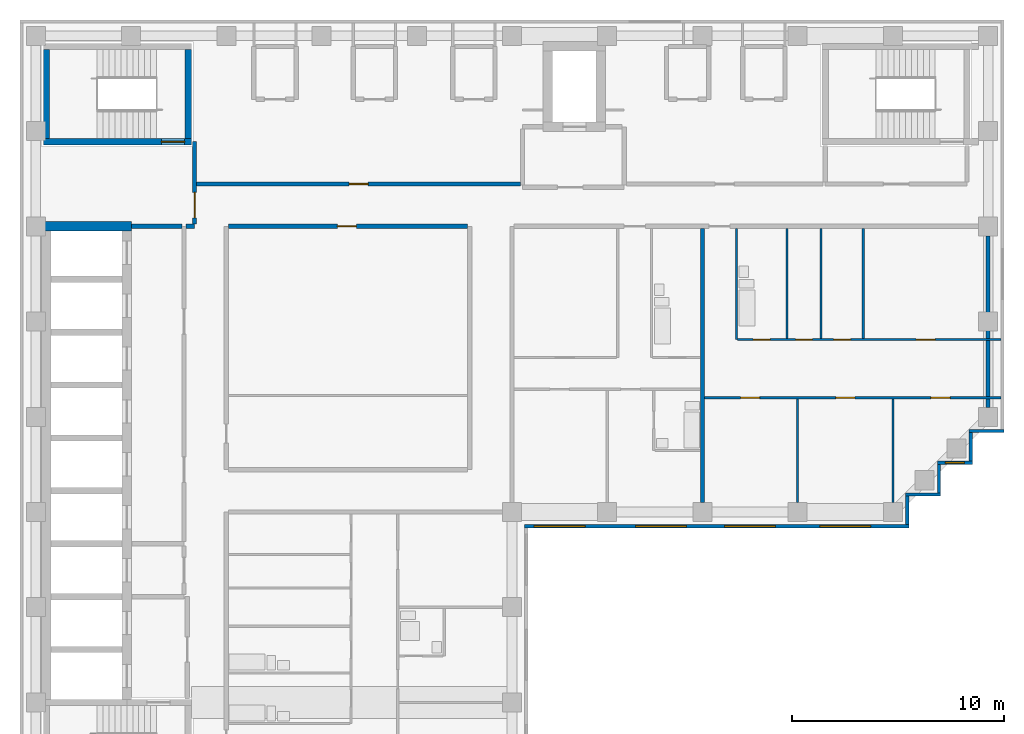
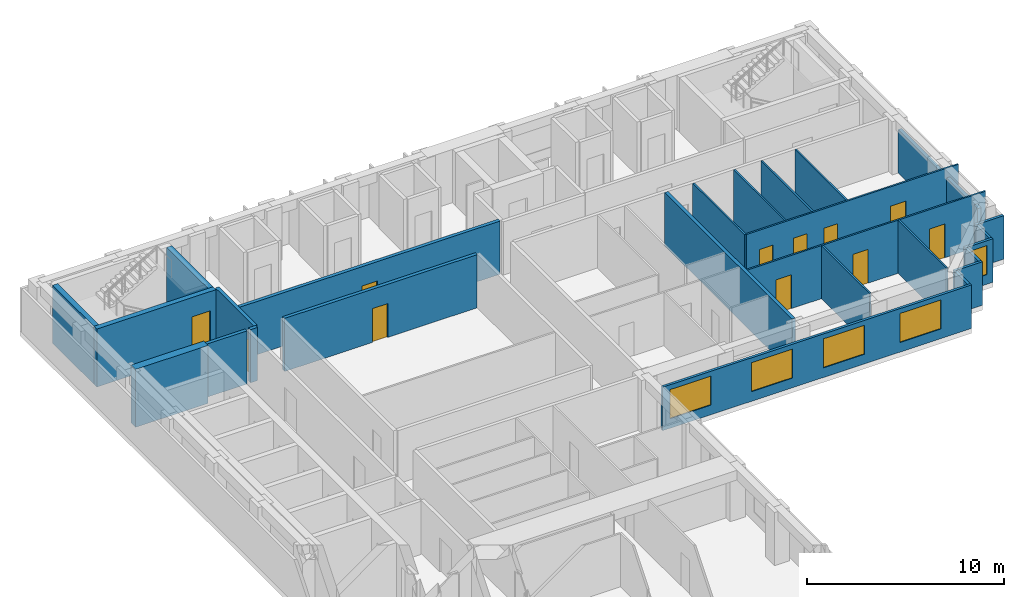
# One storey, part 4 of 8: 26 walls, 11 doors, 5 windows, 16 openings.
"""IFC4 building model written with IfcOpenShell, lengths in metres."""

import ifcopenshell
import ifcopenshell.guid

model = None  # the IFC model being written
_history = None  # IfcOwnerHistory: only IFC2X3 demands one
_inside = {}  # id of a spatial element -> (the spatial element, [elements in it])
_under = {}  # id of a project, library or spatial element -> (it, [spatial elements below it])
_declared = {}  # id of a project -> (the project, [libraries it declares])
_typed = {}  # id of a type object -> (the type object, [elements of that type])
_made_of = {}  # id of a material, layer set ... -> (it, [elements and type objects made of it])


def new_model(schema):
    """Start an empty IFC model of exactly this schema.

    Asked for "IFC4X3", IfcOpenShell would pick the latest addendum, in which some entities
    have other attributes; the version numbers below select the first issue.
    IFC2X3 requires an IfcOwnerHistory on every rooted entity: one is made here for all.
    """
    global model, _history
    if schema == "IFC4X3":
        model = ifcopenshell.file(schema_version=(4, 3, 0, 0))
    else:
        model = ifcopenshell.file(schema=schema)
    _inside.clear()
    _under.clear()
    _declared.clear()
    _typed.clear()
    _made_of.clear()
    _history = None
    if model.schema == "IFC2X3":
        org = make("IfcOrganization", Name="unknown")
        user = make(
            "IfcPersonAndOrganization",
            ThePerson=make("IfcPerson", FamilyName="unknown"),
            TheOrganization=org,
        )
        app = make(
            "IfcApplication",
            ApplicationDeveloper=org,
            Version="unknown",
            ApplicationFullName="unknown",
            ApplicationIdentifier="unknown",
        )
        _history = make(
            "IfcOwnerHistory",
            OwningUser=user,
            OwningApplication=app,
            ChangeAction="ADDED",
            CreationDate=0,
        )
    return model


def make(cls, **values):
    """One entity of the class cls with the attributes given. An attribute that is None is left unset."""
    return model.create_entity(
        cls, **{name: value for name, value in values.items() if value is not None}
    )


def rooted(cls, **values):
    """An entity with a GlobalId (a new one), such as an element, a storey or a relation."""
    return make(cls, GlobalId=ifcopenshell.guid.new(), OwnerHistory=_history, **values)


def si_unit(unit_type, name, prefix=None):
    """IfcSIUnit, for example si_unit("LENGTHUNIT", "METRE", prefix="MILLI")."""
    return make("IfcSIUnit", UnitType=unit_type, Prefix=prefix, Name=name)


def assignment(units):
    """IfcUnitAssignment: the units of a project."""
    return None if units is None else make("IfcUnitAssignment", Units=units)


def point(xyz):
    """IfcCartesianPoint."""
    return None if xyz is None else make("IfcCartesianPoint", Coordinates=xyz)


def direction(xyz):
    """IfcDirection."""
    return None if xyz is None else make("IfcDirection", DirectionRatios=xyz)


def frame(location, z_axis=None, x_axis=None):
    """IfcAxis2Placement3D, a coordinate frame: its origin and axes. An axis left out is left unset."""
    return make(
        "IfcAxis2Placement3D",
        Location=point(location),
        Axis=direction(z_axis),
        RefDirection=direction(x_axis),
    )


def frame_2d(location, x_axis=None):
    """IfcAxis2Placement2D, a coordinate frame in the plane: its origin and x axis."""
    return make(
        "IfcAxis2Placement2D", Location=point(location), RefDirection=direction(x_axis)
    )


def origin():
    """The frame at (0, 0, 0) with its axes left unset."""
    return frame((0.0, 0.0, 0.0))


def place(relative_to, where):
    """IfcLocalPlacement: puts the frame where relative to a parent placement (None: the world)."""
    return make(
        "IfcLocalPlacement", PlacementRelTo=relative_to, RelativePlacement=where
    )


def context(
    kind, dimensions, precision=None, world=None, true_north=None, identifier=None
):
    """IfcGeometricRepresentationContext, for example the 3D "Model" context."""
    return make(
        "IfcGeometricRepresentationContext",
        ContextIdentifier=identifier,
        ContextType=kind,
        CoordinateSpaceDimension=dimensions,
        Precision=precision,
        WorldCoordinateSystem=world,
        TrueNorth=true_north,
    )


def subcontext(parent, identifier, kind, view, scale=None):
    """IfcGeometricRepresentationSubContext, for example "Body" below "Model"."""
    return make(
        "IfcGeometricRepresentationSubContext",
        ContextIdentifier=identifier,
        ContextType=kind,
        ParentContext=parent,
        TargetScale=scale,
        TargetView=view,
    )


def project(units=None, contexts=None):
    """IfcProject with its units and contexts."""
    return rooted(
        "IfcProject",
        Name="project",
        RepresentationContexts=contexts,
        UnitsInContext=assignment(units),
    )


def spatial(cls, under=None, at=None, **own):
    """A site, building, storey or space (cls), placed at a placement, below another one or the project."""
    s = rooted(cls, ObjectPlacement=at, **own)
    if under is not None:
        _under.setdefault(under.id(), (under, []))[1].append(s)
    return s


def profile(cls, at=None, kind="AREA", **sizes):
    """A parametric profile (cls). Its sizes go by their IFC names, for example OverallWidth=200.0."""
    return make(cls, ProfileType=kind, Position=at, **sizes)


def rectangle(**sizes):
    """IfcRectangleProfileDef."""
    return profile("IfcRectangleProfileDef", **sizes)


def extrude(swept, where, along, depth):
    """IfcExtrudedAreaSolid: the profile swept, set in the frame where, extruded along a direction by depth."""
    return make(
        "IfcExtrudedAreaSolid",
        SweptArea=swept,
        Position=where,
        ExtrudedDirection=direction(along),
        Depth=depth,
    )


def shape(context_of_items, identifier, shape_type, items):
    """IfcShapeRepresentation: the items that make up one representation, for example the "Body"."""
    return make(
        "IfcShapeRepresentation",
        ContextOfItems=context_of_items,
        RepresentationIdentifier=identifier,
        RepresentationType=shape_type,
        Items=items,
    )


def material(Name=None, Category=None):
    """IfcMaterial."""
    return make("IfcMaterial", Name=Name, Category=Category)


def layer(
    of_material, thickness, ventilated=None, Name=None, Category=None, Priority=None
):
    """IfcMaterialLayer: one layer of a wall or slab, of a material (None: an air gap)."""
    return make(
        "IfcMaterialLayer",
        Material=of_material,
        LayerThickness=thickness,
        IsVentilated=ventilated,
        Name=Name,
        Category=Category,
        Priority=Priority,
    )


def layer_set(layers, Name=None):
    """IfcMaterialLayerSet."""
    return make("IfcMaterialLayerSet", MaterialLayers=layers, LayerSetName=Name)


def made_of(thing, what):
    """Note that an element or type object is made of a material, layer set ...; save() writes the relation."""
    if what is not None:
        _made_of.setdefault(what.id(), (what, []))[1].append(thing)
    return thing


def type_object(cls, material=None, **own):
    """A type object (cls), such as IfcWallType, which elements share."""
    return made_of(rooted(cls, **own), material)


def element(
    cls,
    number,
    at=None,
    inside=None,
    cuts=None,
    type_object=None,
    material=None,
    context=None,
    identifier="Body",
    shape_type=None,
    held_by="IfcProductDefinitionShape",
    body=None,
    shapes=None,
    **own,
):
    """One element of the class cls, such as IfcWall. Its Tag is "e" and its number.

    at: its placement. inside: the storey or other place that contains it. cuts: it is an
    opening in that element (IfcRelVoidsElement). A single representation is given by context,
    identifier, shape_type and body (its items); several are given by shapes. held_by: the class
    of the entity that holds the representations. save() writes the other relations.
    """
    e = rooted(cls, Tag="e%d" % number, ObjectPlacement=at, **own)
    if body is not None:
        shapes = [shape(context, identifier, shape_type, body)]
    if shapes is not None:
        e.Representation = make(held_by, Representations=shapes)
    if inside is not None:
        _inside.setdefault(inside.id(), (inside, []))[1].append(e)
    if cuts is not None:
        rooted(
            "IfcRelVoidsElement", RelatingBuildingElement=cuts, RelatedOpeningElement=e
        )
    if type_object is not None:
        _typed.setdefault(type_object.id(), (type_object, []))[1].append(e)
    return made_of(e, material)


def fill(opening, filler):
    """IfcRelFillsElement: the door or window that sits in an opening."""
    return rooted(
        "IfcRelFillsElement",
        RelatingOpeningElement=opening,
        RelatedBuildingElement=filler,
    )


def aggregate(whole, parts):
    """IfcRelAggregates: a whole, such as a stair, and the parts it consists of."""
    return rooted("IfcRelAggregates", RelatingObject=whole, RelatedObjects=parts)


def save(model, path):
    """Write the relations noted so far, then the file.

    IfcRelAggregates (storeys below a building ...), IfcRelContainedInSpatialStructure (elements
    in a storey), IfcRelDefinesByType, IfcRelAssociatesMaterial and IfcRelDeclares: one each for
    every whole, place, type object, material and project.
    """
    for whole, parts in _under.values():
        aggregate(whole, parts)
    for where, things in _inside.values():
        rooted(
            "IfcRelContainedInSpatialStructure",
            RelatedElements=things,
            RelatingStructure=where,
        )
    for kind, things in _typed.values():
        rooted("IfcRelDefinesByType", RelatedObjects=things, RelatingType=kind)
    for what, things in _made_of.values():
        rooted("IfcRelAssociatesMaterial", RelatedObjects=things, RelatingMaterial=what)
    for by, libraries in _declared.values():
        rooted("IfcRelDeclares", RelatingContext=by, RelatedDefinitions=libraries)
    model.write(path)


model = new_model("IFC4")

# Units and contexts
model_context = context("Model", 3, precision=1e-05, world=origin(), true_north=direction((0.0, 1.0)))
body_context = subcontext(model_context, "Body", "Model", "MODEL_VIEW")
ifc_project = project(units=[si_unit("LENGTHUNIT", "METRE"), si_unit("AREAUNIT", "SQUARE_METRE"), si_unit("VOLUMEUNIT", "CUBIC_METRE"), si_unit("PLANEANGLEUNIT", "RADIAN"), si_unit("MASSUNIT", "GRAM", prefix="KILO")], contexts=[model_context])

# Site, building, storey
site_placement = place(None, origin())
site = spatial("IfcSite", under=ifc_project, at=site_placement, CompositionType="ELEMENT")
building_placement = place(site_placement, origin())
building = spatial("IfcBuilding", under=site, at=building_placement, Name="Firuza Court", CompositionType="ELEMENT")
storey_placement = place(building_placement, frame((0.0, 0.0, 236.60009765625)))
storey = spatial("IfcBuildingStorey", under=building, at=storey_placement, Name="L61", CompositionType="ELEMENT", Elevation=236.60009765625)

# Walls
ifc_material_1 = material(Name="Moisture-resistant gypsum board partition")
ifc_layer_1 = layer(ifc_material_1, 0.10009765625)
ifc_layer_set_1 = layer_set([ifc_layer_1], Name="Moisture-resistant gypsum board partition")
wall_type_1 = type_object("IfcWallType", Name="Bathroom partition 100", PredefinedType="PLUMBINGWALL", material=ifc_layer_set_1)
wall_1_placement = place(storey_placement, frame((33.10009765625, 44.14990234375, 0.0), z_axis=(0.0, 0.0, 1.0), x_axis=(0.0, 1.0, 0.0)))
element("IfcWall", 1, at=wall_1_placement, inside=storey, type_object=wall_type_1, Name="Bathroom partition 100 L61", PredefinedType="PLUMBINGWALL", context=body_context, shape_type="SweptSolid", body=[
    extrude(rectangle(XDim=5.25, YDim=0.10009765625, at=frame_2d((2.625, 0.0))), origin(), (0.0, 0.0, 1.0), 3.2998046875),
])
wall_2_placement = place(storey_placement, frame((35.5, 44.199951171875, 0.0), z_axis=(0.0, 0.0, 1.0), x_axis=(0.0, 1.0, 0.0)))
element("IfcWall", 2, at=wall_2_placement, inside=storey, type_object=wall_type_1, Name="Bathroom partition 100 L61", PredefinedType="PLUMBINGWALL", context=body_context, shape_type="SweptSolid", body=[
    extrude(rectangle(XDim=5.199951171875, YDim=0.10009765625, at=frame_2d((2.60009765625, 0.0))), origin(), (0.0, 0.0, 1.0), 3.2998046875),
])

# Wall, opening, door
ifc_material_2 = material(Name="Concrete C50/60", Category="concrete")
ifc_layer_2 = layer(ifc_material_2, 0.300048828125)
ifc_layer_set_2 = layer_set([ifc_layer_2], Name="Concrete C50/60")
wall_type_2 = type_object("IfcWallType", Name="Core wall 300 C50/60", PredefinedType="SHEAR", material=ifc_layer_set_2)
wall_3_placement = place(storey_placement, frame((0.35009765625, 53.5, -0.300048828125), z_axis=(0.0, 0.0, 1.0), x_axis=(1.0, 0.0, 0.0)))
wall_3 = element("IfcWall", 3, at=wall_3_placement, inside=storey, type_object=wall_type_2, Name="Core wall stair L61", PredefinedType="SHEAR", context=body_context, shape_type="SweptSolid", body=[
    extrude(rectangle(XDim=7.0, YDim=0.300048828125, at=frame_2d((3.5, 0.0))), origin(), (0.0, 0.0, 1.0), 3.599853515625),
])
opening_1_placement = place(wall_3_placement, frame((5.580078125, 0.0, 0.300048828125)))
opening_1 = element("IfcOpeningElement", 4, at=opening_1_placement, cuts=wall_3, Name="Opening D61011", PredefinedType="OPENING", context=body_context, shape_type="SweptSolid", body=[
    extrude(rectangle(XDim=1.10009765625, YDim=2.10009765625, at=frame_2d((0.550048828125, 1.050048828125))), frame((0.0, 0.162109375, 0.0), z_axis=(0.0, -1.0, 0.0), x_axis=(1.0, 0.0, 0.0)), (0.0, 0.0, 1.0), 0.323974609375),
])
ifc_material_3 = material(Name="Timber door leaf in hardwood frame", Category="wood")
door_type_1 = type_object("IfcDoorType", Name="Stair door 1100", OperationType="SINGLE_SWING_LEFT", PredefinedType="DOOR", material=ifc_material_3)
door_1_placement = place(opening_1_placement, origin())
door_1 = element("IfcDoor", 5, at=door_1_placement, inside=storey, type_object=door_type_1, Name="Stair door S3", OperationType="SINGLE_SWING_RIGHT", OverallHeight=2.10009765625, OverallWidth=1.10009765625, PredefinedType="DOOR", context=body_context, shape_type="SweptSolid", body=[
    extrude(rectangle(XDim=1.10009765625, YDim=2.10009765625, at=frame_2d((0.550048828125, 1.050048828125))), frame((0.0, 0.02490234375, 0.0), z_axis=(0.0, -1.0, 0.0), x_axis=(1.0, 0.0, 0.0)), (0.0, 0.0, 1.0), 0.050048828125),
])
fill(opening_1, door_1)

# Walls
for number, where, z_axis, x_axis, name in (
    (6, (0.5, 53.64990234375, -0.300048828125), (0.0, 0.0, 1.0), (0.0, 1.0, 0.0), "Core wall stair L61"),
    (7, (7.199951171875, 53.64990234375, -0.300048828125), (0.0, 0.0, 1.0), (0.0, 1.0, 0.0), "Core wall stair L61"),
):
    element("IfcWall", number, at=place(storey_placement, frame(where, z_axis=z_axis, x_axis=x_axis)), inside=storey, type_object=wall_type_2, Name=name, PredefinedType="SHEAR", context=body_context, shape_type="SweptSolid", body=[
        extrude(rectangle(XDim=4.2001953125, YDim=0.300048828125, at=frame_2d((2.10009765625, 0.0))), origin(), (0.0, 0.0, 1.0), 3.599853515625),
    ])
ifc_layer_3 = layer(ifc_material_2, 0.449951171875)
ifc_layer_set_3 = layer_set([ifc_layer_3], Name="Concrete C50/60")
wall_type_3 = type_object("IfcWallType", Name="Core wall 450 C50/60", PredefinedType="SHEAR", material=ifc_layer_set_3)
wall_4_placement = place(storey_placement, frame((0.27490234375, 49.5, -0.300048828125), z_axis=(0.0, 0.0, 1.0), x_axis=(1.0, 0.0, 0.0)))
element("IfcWall", 8, at=wall_4_placement, inside=storey, type_object=wall_type_3, Name="Core wall lift shaft L61", PredefinedType="SHEAR", context=body_context, shape_type="SweptSolid", body=[
    extrude(rectangle(XDim=4.25, YDim=0.449951171875, at=frame_2d((2.125, 0.0))), origin(), (0.0, 0.0, 1.0), 3.599853515625),
])

# Wall, opening, door
ifc_material_4 = material(Name="Blockwork, plastered both sides", Category="masonry")
ifc_layer_4 = layer(ifc_material_4, 0.199951171875)
ifc_layer_set_4 = layer_set([ifc_layer_4], Name="Blockwork, plastered both sides")
wall_type_4 = type_object("IfcWallType", Name="Corridor wall 200", PredefinedType="PARTITIONING", material=ifc_layer_set_4)
wall_5_placement = place(storey_placement, frame((9.10009765625, 49.5, 0.0), z_axis=(0.0, 0.0, 1.0), x_axis=(1.0, 0.0, 0.0)))
wall_5 = element("IfcWall", 9, at=wall_5_placement, inside=storey, type_object=wall_type_4, Name="Corridor wall 200 L61", PredefinedType="PARTITIONING", context=body_context, shape_type="SweptSolid", body=[
    extrude(rectangle(XDim=11.2998046875, YDim=0.199951171875, at=frame_2d((5.64990234375, 0.0))), origin(), (0.0, 0.0, 1.0), 3.2998046875),
])
opening_2_placement = place(wall_5_placement, frame((5.14990234375, 0.0, 0.0)))
opening_2 = element("IfcOpeningElement", 10, at=opening_2_placement, cuts=wall_5, Name="Opening D61037", PredefinedType="OPENING", context=body_context, shape_type="SweptSolid", body=[
    extrude(rectangle(XDim=0.89990234375, YDim=2.10009765625, at=frame_2d((0.449951171875, 1.050048828125))), frame((0.0, 0.11181640625, 0.0), z_axis=(0.0, -1.0, 0.0), x_axis=(1.0, 0.0, 0.0)), (0.0, 0.0, 1.0), 0.223876953125),
])
ifc_material_5 = material(Name="Timber door leaf in hardwood frame", Category="wood")
door_type_2 = type_object("IfcDoorType", Name="Room door 900 EI 30", OperationType="SINGLE_SWING_LEFT", PredefinedType="DOOR", material=ifc_material_5)
door_2_placement = place(opening_2_placement, origin())
door_2 = element("IfcDoor", 11, at=door_2_placement, inside=storey, type_object=door_type_2, Name="Residents' club lounge door", OperationType="SINGLE_SWING_LEFT", OverallHeight=2.10009765625, OverallWidth=0.89990234375, PredefinedType="DOOR", context=body_context, shape_type="SweptSolid", body=[
    extrude(rectangle(XDim=0.89990234375, YDim=2.10009765625, at=frame_2d((0.449951171875, 1.050048828125))), frame((0.0, 0.02490234375, 0.0), z_axis=(0.0, -1.0, 0.0), x_axis=(1.0, 0.0, 0.0)), (0.0, 0.0, 1.0), 0.050048828125),
])
fill(opening_2, door_2)

wall_6_placement = place(storey_placement, frame((7.60009765625, 51.5, 0.0), z_axis=(0.0, 0.0, 1.0), x_axis=(1.0, 0.0, 0.0)))
wall_6 = element("IfcWall", 12, at=wall_6_placement, inside=storey, type_object=wall_type_4, Name="Corridor wall 200 L61", PredefinedType="PARTITIONING", context=body_context, shape_type="SweptSolid", body=[
    extrude(rectangle(XDim=15.2998046875, YDim=0.199951171875, at=frame_2d((7.64990234375, 0.0))), origin(), (0.0, 0.0, 1.0), 3.2998046875),
])
opening_3_placement = place(wall_6_placement, frame((7.199951171875, 0.0, 0.0)))
opening_3 = element("IfcOpeningElement", 13, at=opening_3_placement, cuts=wall_6, Name="Opening D61040", PredefinedType="OPENING", context=body_context, shape_type="SweptSolid", body=[
    extrude(rectangle(XDim=0.89990234375, YDim=2.10009765625, at=frame_2d((0.449951171875, 1.050048828125))), frame((0.0, 0.11181640625, 0.0), z_axis=(0.0, -1.0, 0.0), x_axis=(1.0, 0.0, 0.0)), (0.0, 0.0, 1.0), 0.223876953125),
])
door_3_placement = place(opening_3_placement, origin())
door_3 = element("IfcDoor", 14, at=door_3_placement, inside=storey, type_object=door_type_2, Name="Residents' workroom door", OperationType="SINGLE_SWING_LEFT", OverallHeight=2.10009765625, OverallWidth=0.89990234375, PredefinedType="DOOR", context=body_context, shape_type="SweptSolid", body=[
    extrude(rectangle(XDim=0.89990234375, YDim=2.10009765625, at=frame_2d((0.449951171875, 1.050048828125))), frame((0.0, 0.02490234375, 0.0), z_axis=(0.0, -1.0, 0.0), x_axis=(1.0, 0.0, 0.0)), (0.0, 0.0, 1.0), 0.050048828125),
])
fill(opening_3, door_3)

# Walls
ifc_material_6 = material(Name="Timber stud partition, plasterboard both sides", Category="wood")
ifc_layer_5 = layer(ifc_material_6, 0.10009765625)
ifc_layer_set_5 = layer_set([ifc_layer_5], Name="Timber stud partition, plasterboard both sides")
wall_type_5 = type_object("IfcWallType", Name="Partition wall 100", PredefinedType="PARTITIONING", material=ifc_layer_set_5)
for number, where, z_axis, x_axis, name in (
    (15, (36.0, 36.449951171875, 0.0), (0.0, 0.0, 1.0), (0.0, 1.0, 0.0), "Partition wall 100 L61"),
    (16, (40.5, 36.449951171875, 0.0), (0.0, 0.0, 1.0), (0.0, 1.0, 0.0), "Partition wall 100 L61"),
):
    element("IfcWall", number, at=place(storey_placement, frame(where, z_axis=z_axis, x_axis=x_axis)), inside=storey, type_object=wall_type_5, Name=name, PredefinedType="PARTITIONING", context=body_context, shape_type="SweptSolid", body=[
        extrude(rectangle(XDim=4.900146484375, YDim=0.10009765625, at=frame_2d((2.4501953125, 0.0))), origin(), (0.0, 0.0, 1.0), 3.2998046875),
    ])

# Wall, openings, doors
wall_7_placement = place(storey_placement, frame((31.60009765625, 41.39990234375, 0.0), z_axis=(0.0, 0.0, 1.0), x_axis=(1.0, 0.0, 0.0)))
wall_7 = element("IfcWall", 17, at=wall_7_placement, inside=storey, type_object=wall_type_5, Name="Partition wall 100 L61", PredefinedType="PARTITIONING", context=body_context, shape_type="SweptSolid", body=[
    extrude(rectangle(XDim=14.0, YDim=0.10009765625, at=frame_2d((7.0, 0.0))), origin(), (0.0, 0.0, 1.0), 3.2998046875),
])
opening_4_placement = place(wall_7_placement, frame((1.699951171875, 0.0, 0.0)))
opening_4 = element("IfcOpeningElement", 18, at=opening_4_placement, cuts=wall_7, Name="Opening D61026", PredefinedType="OPENING", context=body_context, shape_type="SweptSolid", body=[
    extrude(rectangle(XDim=0.89990234375, YDim=2.10009765625, at=frame_2d((0.449951171875, 1.050048828125))), frame((0.0, 0.06201171875, 0.0), z_axis=(0.0, -1.0, 0.0), x_axis=(1.0, 0.0, 0.0)), (0.0, 0.0, 1.0), 0.1240234375),
])
opening_5_placement = place(wall_7_placement, frame((6.199951171875, 0.0, 0.0)))
opening_5 = element("IfcOpeningElement", 19, at=opening_5_placement, cuts=wall_7, Name="Opening D61027", PredefinedType="OPENING", context=body_context, shape_type="SweptSolid", body=[
    extrude(rectangle(XDim=0.89990234375, YDim=2.10009765625, at=frame_2d((0.449951171875, 1.050048828125))), frame((0.0, 0.06201171875, 0.0), z_axis=(0.0, -1.0, 0.0), x_axis=(1.0, 0.0, 0.0)), (0.0, 0.0, 1.0), 0.1240234375),
])
opening_6_placement = place(wall_7_placement, frame((10.699951171875, 0.0, 0.0)))
opening_6 = element("IfcOpeningElement", 20, at=opening_6_placement, cuts=wall_7, Name="Opening D61028", PredefinedType="OPENING", context=body_context, shape_type="SweptSolid", body=[
    extrude(rectangle(XDim=0.89990234375, YDim=2.10009765625, at=frame_2d((0.449951171875, 1.050048828125))), frame((0.0, 0.06201171875, 0.0), z_axis=(0.0, -1.0, 0.0), x_axis=(1.0, 0.0, 0.0)), (0.0, 0.0, 1.0), 0.1240234375),
])
ifc_material_7 = material(Name="Timber door leaf in hardwood frame", Category="wood")
door_type_3 = type_object("IfcDoorType", Name="Room door 900", OperationType="SINGLE_SWING_LEFT", PredefinedType="DOOR", material=ifc_material_7)
door_4_placement = place(opening_4_placement, frame((0.89990234375, 0.0, 0.0), z_axis=(0.0, 0.0, 1.0), x_axis=(-1.0, 0.0, 0.0)))
door_4 = element("IfcDoor", 21, at=door_4_placement, inside=storey, type_object=door_type_3, Name="Living room door", OperationType="SINGLE_SWING_RIGHT", OverallHeight=2.10009765625, OverallWidth=0.89990234375, PredefinedType="DOOR", context=body_context, shape_type="SweptSolid", body=[
    extrude(rectangle(XDim=0.89990234375, YDim=2.10009765625, at=frame_2d((0.449951171875, 1.050048828125))), frame((0.0, 0.02490234375, 0.0), z_axis=(0.0, -1.0, 0.0), x_axis=(1.0, 0.0, 0.0)), (0.0, 0.0, 1.0), 0.050048828125),
])
fill(opening_4, door_4)
door_5_placement = place(opening_5_placement, frame((0.89990234375, 0.0, 0.0), z_axis=(0.0, 0.0, 1.0), x_axis=(-1.0, 0.0, 0.0)))
door_5 = element("IfcDoor", 22, at=door_5_placement, inside=storey, type_object=door_type_3, Name="Bedroom door", OperationType="SINGLE_SWING_RIGHT", OverallHeight=2.10009765625, OverallWidth=0.89990234375, PredefinedType="DOOR", context=body_context, shape_type="SweptSolid", body=[
    extrude(rectangle(XDim=0.89990234375, YDim=2.10009765625, at=frame_2d((0.449951171875, 1.050048828125))), frame((0.0, 0.02490234375, 0.0), z_axis=(0.0, -1.0, 0.0), x_axis=(1.0, 0.0, 0.0)), (0.0, 0.0, 1.0), 0.050048828125),
])
fill(opening_5, door_5)
door_6_placement = place(opening_6_placement, frame((0.89990234375, 0.0, 0.0), z_axis=(0.0, 0.0, 1.0), x_axis=(-1.0, 0.0, 0.0)))
door_6 = element("IfcDoor", 23, at=door_6_placement, inside=storey, type_object=door_type_3, Name="Study door", OperationType="SINGLE_SWING_RIGHT", OverallHeight=2.10009765625, OverallWidth=0.89990234375, PredefinedType="DOOR", context=body_context, shape_type="SweptSolid", body=[
    extrude(rectangle(XDim=0.89990234375, YDim=2.10009765625, at=frame_2d((0.449951171875, 1.050048828125))), frame((0.0, 0.02490234375, 0.0), z_axis=(0.0, -1.0, 0.0), x_axis=(1.0, 0.0, 0.0)), (0.0, 0.0, 1.0), 0.050048828125),
])
fill(opening_6, door_6)

wall_8_placement = place(storey_placement, frame((33.14990234375, 44.14990234375, 0.0), z_axis=(0.0, 0.0, 1.0), x_axis=(1.0, 0.0, 0.0)))
wall_8 = element("IfcWall", 24, at=wall_8_placement, inside=storey, type_object=wall_type_5, Name="Partition wall 100 L61", PredefinedType="PARTITIONING", context=body_context, shape_type="SweptSolid", body=[
    extrude(rectangle(XDim=12.4501953125, YDim=0.10009765625, at=frame_2d((6.22509765625, 0.0))), origin(), (0.0, 0.0, 1.0), 3.2998046875),
])
opening_7_placement = place(wall_8_placement, frame((0.75, 0.0, 0.0)))
opening_7 = element("IfcOpeningElement", 25, at=opening_7_placement, cuts=wall_8, Name="Opening D61033", PredefinedType="OPENING", context=body_context, shape_type="SweptSolid", body=[
    extrude(rectangle(XDim=0.800048828125, YDim=2.10009765625, at=frame_2d((0.39990234375, 1.050048828125))), frame((0.0, 0.06201171875, 0.0), z_axis=(0.0, -1.0, 0.0), x_axis=(1.0, 0.0, 0.0)), (0.0, 0.0, 1.0), 0.1240234375),
])
opening_8_placement = place(wall_8_placement, frame((8.449951171875, 0.0, 0.0)))
opening_8 = element("IfcOpeningElement", 26, at=opening_8_placement, cuts=wall_8, Name="Opening D61034", PredefinedType="OPENING", context=body_context, shape_type="SweptSolid", body=[
    extrude(rectangle(XDim=0.89990234375, YDim=2.10009765625, at=frame_2d((0.449951171875, 1.050048828125))), frame((0.0, 0.06201171875, 0.0), z_axis=(0.0, -1.0, 0.0), x_axis=(1.0, 0.0, 0.0)), (0.0, 0.0, 1.0), 0.1240234375),
])
opening_9_placement = place(wall_8_placement, frame((2.75, 0.0, 0.0)))
opening_9 = element("IfcOpeningElement", 27, at=opening_9_placement, cuts=wall_8, Name="Opening D61035", PredefinedType="OPENING", context=body_context, shape_type="SweptSolid", body=[
    extrude(rectangle(XDim=0.800048828125, YDim=2.10009765625, at=frame_2d((0.39990234375, 1.050048828125))), frame((0.0, 0.06201171875, 0.0), z_axis=(0.0, -1.0, 0.0), x_axis=(1.0, 0.0, 0.0)), (0.0, 0.0, 1.0), 0.1240234375),
])
opening_10_placement = place(wall_8_placement, frame((4.550048828125, 0.0, 0.0)))
opening_10 = element("IfcOpeningElement", 28, at=opening_10_placement, cuts=wall_8, Name="Opening D61036", PredefinedType="OPENING", context=body_context, shape_type="SweptSolid", body=[
    extrude(rectangle(XDim=0.800048828125, YDim=2.10009765625, at=frame_2d((0.39990234375, 1.050048828125))), frame((0.0, 0.06201171875, 0.0), z_axis=(0.0, -1.0, 0.0), x_axis=(1.0, 0.0, 0.0)), (0.0, 0.0, 1.0), 0.1240234375),
])
ifc_material_8 = material(Name="Timber door leaf in hardwood frame", Category="wood")
door_type_4 = type_object("IfcDoorType", Name="Bathroom door 800", OperationType="SINGLE_SWING_LEFT", PredefinedType="DOOR", material=ifc_material_8)
door_7_placement = place(opening_7_placement, origin())
door_7 = element("IfcDoor", 29, at=door_7_placement, inside=storey, type_object=door_type_4, Name="Bathroom door", OperationType="SINGLE_SWING_LEFT", OverallHeight=2.10009765625, OverallWidth=0.800048828125, PredefinedType="DOOR", context=body_context, shape_type="SweptSolid", body=[
    extrude(rectangle(XDim=0.800048828125, YDim=2.10009765625, at=frame_2d((0.39990234375, 1.050048828125))), frame((0.0, 0.02490234375, 0.0), z_axis=(0.0, -1.0, 0.0), x_axis=(1.0, 0.0, 0.0)), (0.0, 0.0, 1.0), 0.050048828125),
])
fill(opening_7, door_7)
ifc_material_9 = material(Name="Timber door leaf in hardwood frame", Category="wood")
door_type_5 = type_object("IfcDoorType", Name="Room door 800", OperationType="SINGLE_SWING_LEFT", PredefinedType="DOOR", material=ifc_material_9)
door_8_placement = place(opening_9_placement, origin())
door_8 = element("IfcDoor", 30, at=door_8_placement, inside=storey, type_object=door_type_5, Name="Store door", OperationType="SINGLE_SWING_LEFT", OverallHeight=2.10009765625, OverallWidth=0.800048828125, PredefinedType="DOOR", context=body_context, shape_type="SweptSolid", body=[
    extrude(rectangle(XDim=0.800048828125, YDim=2.10009765625, at=frame_2d((0.39990234375, 1.050048828125))), frame((0.0, 0.02490234375, 0.0), z_axis=(0.0, -1.0, 0.0), x_axis=(1.0, 0.0, 0.0)), (0.0, 0.0, 1.0), 0.050048828125),
])
fill(opening_9, door_8)
door_9_placement = place(opening_10_placement, origin())
door_9 = element("IfcDoor", 31, at=door_9_placement, inside=storey, type_object=door_type_5, Name="Utility room door", OperationType="SINGLE_SWING_LEFT", OverallHeight=2.10009765625, OverallWidth=0.800048828125, PredefinedType="DOOR", context=body_context, shape_type="SweptSolid", body=[
    extrude(rectangle(XDim=0.800048828125, YDim=2.10009765625, at=frame_2d((0.39990234375, 1.050048828125))), frame((0.0, 0.02490234375, 0.0), z_axis=(0.0, -1.0, 0.0), x_axis=(1.0, 0.0, 0.0)), (0.0, 0.0, 1.0), 0.050048828125),
])
fill(opening_10, door_9)
door_10_placement = place(opening_8_placement, origin())
door_10 = element("IfcDoor", 32, at=door_10_placement, inside=storey, type_object=door_type_3, Name="Kitchen door", OperationType="SINGLE_SWING_LEFT", OverallHeight=2.10009765625, OverallWidth=0.89990234375, PredefinedType="DOOR", context=body_context, shape_type="SweptSolid", body=[
    extrude(rectangle(XDim=0.89990234375, YDim=2.10009765625, at=frame_2d((0.449951171875, 1.050048828125))), frame((0.0, 0.02490234375, 0.0), z_axis=(0.0, -1.0, 0.0), x_axis=(1.0, 0.0, 0.0)), (0.0, 0.0, 1.0), 0.050048828125),
])
fill(opening_8, door_10)

# Walls
for number, where, z_axis, x_axis, name in (
    (33, (37.10009765625, 44.199951171875, 0.0), (0.0, 0.0, 1.0), (0.0, 1.0, 0.0), "Partition wall 100 L61"),
    (34, (39.10009765625, 44.199951171875, 0.0), (0.0, 0.0, 1.0), (0.0, 1.0, 0.0), "Partition wall 100 L61"),
):
    element("IfcWall", number, at=place(storey_placement, frame(where, z_axis=z_axis, x_axis=x_axis)), inside=storey, type_object=wall_type_5, Name=name, PredefinedType="PARTITIONING", context=body_context, shape_type="SweptSolid", body=[
        extrude(rectangle(XDim=5.199951171875, YDim=0.10009765625, at=frame_2d((2.60009765625, 0.0))), origin(), (0.0, 0.0, 1.0), 3.2998046875),
    ])
ifc_layer_6 = layer(ifc_material_4, 0.199951171875)
ifc_layer_set_6 = layer_set([ifc_layer_6], Name="Blockwork, plastered both sides")
wall_type_6 = type_object("IfcWallType", Name="Party wall 200", PredefinedType="PARTITIONING", material=ifc_layer_set_6)
wall_9_placement = place(storey_placement, frame((31.5, 36.449951171875, 0.0), z_axis=(0.0, 0.0, 1.0), x_axis=(0.0, 1.0, 0.0)))
element("IfcWall", 35, at=wall_9_placement, inside=storey, type_object=wall_type_6, Name="Party wall 200 L61", PredefinedType="PARTITIONING", context=body_context, shape_type="SweptSolid", body=[
    extrude(rectangle(XDim=12.949951171875, YDim=0.199951171875, at=frame_2d((6.47509765625, 0.0))), origin(), (0.0, 0.0, 1.0), 3.2998046875),
])
wall_10_placement = place(storey_placement, frame((45.0, 40.949951171875, 0.0), z_axis=(0.0, 0.0, 1.0), x_axis=(0.0, 1.0, 0.0)))
element("IfcWall", 36, at=wall_10_placement, inside=storey, type_object=wall_type_6, Name="Party wall 200 L61", PredefinedType="PARTITIONING", context=body_context, shape_type="SweptSolid", body=[
    extrude(rectangle(XDim=8.10009765625, YDim=0.199951171875, at=frame_2d((4.050048828125, 0.0))), origin(), (0.0, 0.0, 1.0), 2.699951171875),
])

# Wall, openings, windows
ifc_material_10 = material(Name="Ceramic tile", Category="ceramic")
ifc_layer_7 = layer(ifc_material_10, 0.02001953125)
ifc_material_11 = material(Name="Mineral wool insulation", Category="insulation")
ifc_layer_8 = layer(ifc_material_11, 0.050048828125)
ifc_material_12 = material(Name="Concrete C40/50 precast", Category="concrete")
ifc_layer_9 = layer(ifc_material_12, 0.080078125)
ifc_layer_set_7 = layer_set([ifc_layer_7, ifc_layer_8, ifc_layer_9], Name="Concrete C40/50 precast")
wall_type_7 = type_object("IfcWallType", Name="Precast cladding wall with turquoise TILE PANEL face 150", PredefinedType="STANDARD", material=ifc_layer_set_7)
wall_11_placement = place(storey_placement, frame((23.10009765625, 35.324951171875, 0.0), z_axis=(0.0, 0.0, 1.0), x_axis=(1.0, 0.0, 0.0)))
wall_11 = element("IfcWall", 37, at=wall_11_placement, inside=storey, type_object=wall_type_7, Name="Facade wall L61 S", PredefinedType="STANDARD", context=body_context, shape_type="SweptSolid", body=[
    extrude(rectangle(XDim=18.14990234375, YDim=0.14990234375, at=frame_2d((9.074951171875, 0.0))), origin(), (0.0, 0.0, 1.0), 2.699951171875),
])
opening_11_placement = place(wall_11_placement, frame((0.449951171875, 0.0, 0.60009765625)))
opening_11 = element("IfcOpeningElement", 38, at=opening_11_placement, cuts=wall_11, Name="Opening W1", PredefinedType="OPENING", context=body_context, shape_type="SweptSolid", body=[
    extrude(rectangle(XDim=2.39990234375, YDim=1.800048828125, at=frame_2d((1.199951171875, 0.89990234375))), frame((0.0, 0.0869140625, 0.0), z_axis=(0.0, -1.0, 0.0), x_axis=(1.0, 0.0, 0.0)), (0.0, 0.0, 1.0), 0.173828125),
])
opening_12_placement = place(wall_11_placement, frame((5.242431640625, 0.0, 0.60009765625)))
opening_12 = element("IfcOpeningElement", 39, at=opening_12_placement, cuts=wall_11, Name="Opening W1", PredefinedType="OPENING", context=body_context, shape_type="SweptSolid", body=[
    extrude(rectangle(XDim=2.39990234375, YDim=1.800048828125, at=frame_2d((1.199951171875, 0.89990234375))), frame((0.0, 0.0869140625, 0.0), z_axis=(0.0, -1.0, 0.0), x_axis=(1.0, 0.0, 0.0)), (0.0, 0.0, 1.0), 0.173828125),
])
opening_13_placement = place(wall_11_placement, frame((9.449951171875, 0.0, 0.60009765625)))
opening_13 = element("IfcOpeningElement", 40, at=opening_13_placement, cuts=wall_11, Name="Opening W1", PredefinedType="OPENING", context=body_context, shape_type="SweptSolid", body=[
    extrude(rectangle(XDim=2.39990234375, YDim=1.800048828125, at=frame_2d((1.199951171875, 0.89990234375))), frame((0.0, 0.0869140625, 0.0), z_axis=(0.0, -1.0, 0.0), x_axis=(1.0, 0.0, 0.0)), (0.0, 0.0, 1.0), 0.173828125),
])
opening_14_placement = place(wall_11_placement, frame((13.949951171875, 0.0, 0.60009765625)))
opening_14 = element("IfcOpeningElement", 41, at=opening_14_placement, cuts=wall_11, Name="Opening W1", PredefinedType="OPENING", context=body_context, shape_type="SweptSolid", body=[
    extrude(rectangle(XDim=2.39990234375, YDim=1.800048828125, at=frame_2d((1.199951171875, 0.89990234375))), frame((0.0, 0.0869140625, 0.0), z_axis=(0.0, -1.0, 0.0), x_axis=(1.0, 0.0, 0.0)), (0.0, 0.0, 1.0), 0.173828125),
])
ifc_material_13 = material(Name="Aluminium frame, triple clear glazing", Category="aluminium")
window_type_1 = type_object("IfcWindowType", Name="Window W1 2400 x 1800", PartitioningType="SINGLE_PANEL", PredefinedType="WINDOW", material=ifc_material_13)
window_1_placement = place(opening_11_placement, origin())
window_1 = element("IfcWindow", 42, at=window_1_placement, inside=storey, type_object=window_type_1, Name="Window L61", OverallHeight=1.800048828125, OverallWidth=2.39990234375, PartitioningType="SINGLE_PANEL", PredefinedType="WINDOW", context=body_context, shape_type="SweptSolid", body=[
    extrude(rectangle(XDim=2.39990234375, YDim=1.800048828125, at=frame_2d((1.199951171875, 0.89990234375))), frame((0.0, 0.030029296875, 0.0), z_axis=(0.0, -1.0, 0.0), x_axis=(1.0, 0.0, 0.0)), (0.0, 0.0, 1.0), 0.06005859375),
])
fill(opening_11, window_1)
window_2_placement = place(opening_12_placement, origin())
window_2 = element("IfcWindow", 43, at=window_2_placement, inside=storey, type_object=window_type_1, Name="Window L61", OverallHeight=1.800048828125, OverallWidth=2.39990234375, PartitioningType="SINGLE_PANEL", PredefinedType="WINDOW", context=body_context, shape_type="SweptSolid", body=[
    extrude(rectangle(XDim=2.39990234375, YDim=1.800048828125, at=frame_2d((1.199951171875, 0.89990234375))), frame((0.0, 0.030029296875, 0.0), z_axis=(0.0, -1.0, 0.0), x_axis=(1.0, 0.0, 0.0)), (0.0, 0.0, 1.0), 0.06005859375),
])
fill(opening_12, window_2)
window_3_placement = place(opening_13_placement, origin())
window_3 = element("IfcWindow", 44, at=window_3_placement, inside=storey, type_object=window_type_1, Name="Window L61", OverallHeight=1.800048828125, OverallWidth=2.39990234375, PartitioningType="SINGLE_PANEL", PredefinedType="WINDOW", context=body_context, shape_type="SweptSolid", body=[
    extrude(rectangle(XDim=2.39990234375, YDim=1.800048828125, at=frame_2d((1.199951171875, 0.89990234375))), frame((0.0, 0.030029296875, 0.0), z_axis=(0.0, -1.0, 0.0), x_axis=(1.0, 0.0, 0.0)), (0.0, 0.0, 1.0), 0.06005859375),
])
fill(opening_13, window_3)
window_4_placement = place(opening_14_placement, origin())
window_4 = element("IfcWindow", 45, at=window_4_placement, inside=storey, type_object=window_type_1, Name="Window L61", OverallHeight=1.800048828125, OverallWidth=2.39990234375, PartitioningType="SINGLE_PANEL", PredefinedType="WINDOW", context=body_context, shape_type="SweptSolid", body=[
    extrude(rectangle(XDim=2.39990234375, YDim=1.800048828125, at=frame_2d((1.199951171875, 0.89990234375))), frame((0.0, 0.030029296875, 0.0), z_axis=(0.0, -1.0, 0.0), x_axis=(1.0, 0.0, 0.0)), (0.0, 0.0, 1.0), 0.06005859375),
])
fill(opening_14, window_4)

# Walls
wall_12_placement = place(storey_placement, frame((41.175048828125, 35.39990234375, 0.0), z_axis=(0.0, 0.0, 1.0), x_axis=(0.0, 1.0, 0.0)))
element("IfcWall", 46, at=wall_12_placement, inside=storey, type_object=wall_type_7, Name="Facade wall L61 E", PredefinedType="STANDARD", context=body_context, shape_type="SweptSolid", body=[
    extrude(rectangle(XDim=1.35009765625, YDim=0.14990234375, at=frame_2d((0.675048828125, 0.0))), origin(), (0.0, 0.0, 1.0), 2.699951171875),
])
wall_13_placement = place(storey_placement, frame((41.10009765625, 36.824951171875, 0.0), z_axis=(0.0, 0.0, 1.0), x_axis=(1.0, 0.0, 0.0)))
element("IfcWall", 47, at=wall_13_placement, inside=storey, type_object=wall_type_7, Name="Facade wall L61 S", PredefinedType="STANDARD", context=body_context, shape_type="SweptSolid", body=[
    extrude(rectangle(XDim=1.64990234375, YDim=0.14990234375, at=frame_2d((0.824951171875, 0.0))), origin(), (0.0, 0.0, 1.0), 2.699951171875),
])
wall_14_placement = place(storey_placement, frame((42.675048828125, 36.89990234375, 0.0), z_axis=(0.0, 0.0, 1.0), x_axis=(0.0, 1.0, 0.0)))
element("IfcWall", 48, at=wall_14_placement, inside=storey, type_object=wall_type_7, Name="Facade wall L61 E", PredefinedType="STANDARD", context=body_context, shape_type="SweptSolid", body=[
    extrude(rectangle(XDim=1.35009765625, YDim=0.14990234375, at=frame_2d((0.675048828125, 0.0))), origin(), (0.0, 0.0, 1.0), 2.699951171875),
])

# Wall, opening, window
wall_15_placement = place(storey_placement, frame((42.60009765625, 38.324951171875, 0.0), z_axis=(0.0, 0.0, 1.0), x_axis=(1.0, 0.0, 0.0)))
wall_15 = element("IfcWall", 49, at=wall_15_placement, inside=storey, type_object=wall_type_7, Name="Facade wall L61 S", PredefinedType="STANDARD", context=body_context, shape_type="SweptSolid", body=[
    extrude(rectangle(XDim=1.64990234375, YDim=0.14990234375, at=frame_2d((0.824951171875, 0.0))), origin(), (0.0, 0.0, 1.0), 2.699951171875),
])
opening_15_placement = place(wall_15_placement, frame((0.375, 0.0, 0.60009765625)))
opening_15 = element("IfcOpeningElement", 50, at=opening_15_placement, cuts=wall_15, Name="Opening W3", PredefinedType="OPENING", context=body_context, shape_type="SweptSolid", body=[
    extrude(rectangle(XDim=0.89990234375, YDim=1.800048828125, at=frame_2d((0.449951171875, 0.89990234375))), frame((0.0, 0.0869140625, 0.0), z_axis=(0.0, -1.0, 0.0), x_axis=(1.0, 0.0, 0.0)), (0.0, 0.0, 1.0), 0.173828125),
])
ifc_material_14 = material(Name="Aluminium frame, triple clear glazing", Category="aluminium")
window_type_2 = type_object("IfcWindowType", Name="Window W3 900 x 1800", PartitioningType="SINGLE_PANEL", PredefinedType="WINDOW", material=ifc_material_14)
window_5_placement = place(opening_15_placement, origin())
window_5 = element("IfcWindow", 51, at=window_5_placement, inside=storey, type_object=window_type_2, Name="Window L61", OverallHeight=1.800048828125, OverallWidth=0.89990234375, PartitioningType="SINGLE_PANEL", PredefinedType="WINDOW", context=body_context, shape_type="SweptSolid", body=[
    extrude(rectangle(XDim=0.89990234375, YDim=1.800048828125, at=frame_2d((0.449951171875, 0.89990234375))), frame((0.0, 0.030029296875, 0.0), z_axis=(0.0, -1.0, 0.0), x_axis=(1.0, 0.0, 0.0)), (0.0, 0.0, 1.0), 0.06005859375),
])
fill(opening_15, window_5)

# Walls
wall_16_placement = place(storey_placement, frame((44.175048828125, 38.39990234375, 0.0), z_axis=(0.0, 0.0, 1.0), x_axis=(0.0, 1.0, 0.0)))
element("IfcWall", 52, at=wall_16_placement, inside=storey, type_object=wall_type_7, Name="Facade wall L61 E", PredefinedType="STANDARD", context=body_context, shape_type="SweptSolid", body=[
    extrude(rectangle(XDim=1.35009765625, YDim=0.14990234375, at=frame_2d((0.675048828125, 0.0))), origin(), (0.0, 0.0, 1.0), 2.699951171875),
])
wall_17_placement = place(storey_placement, frame((44.10009765625, 39.824951171875, 0.0), z_axis=(0.0, 0.0, 1.0), x_axis=(1.0, 0.0, 0.0)))
element("IfcWall", 53, at=wall_17_placement, inside=storey, type_object=wall_type_7, Name="Facade wall L61 S", PredefinedType="STANDARD", context=body_context, shape_type="SweptSolid", body=[
    extrude(rectangle(XDim=1.64990234375, YDim=0.14990234375, at=frame_2d((0.824951171875, 0.0))), origin(), (0.0, 0.0, 1.0), 2.699951171875),
])
ifc_material_15 = material(Name="Blockwork, fire-rated", Category="masonry")
ifc_layer_10 = layer(ifc_material_15, 0.199951171875)
ifc_layer_set_8 = layer_set([ifc_layer_10], Name="Blockwork, fire-rated")
wall_type_8 = type_object("IfcWallType", Name="Shaft wall 200", PredefinedType="PARTITIONING", material=ifc_layer_set_8)
wall_18_placement = place(storey_placement, frame((4.52490234375, 49.5, 0.0), z_axis=(0.0, 0.0, 1.0), x_axis=(1.0, 0.0, 0.0)))
element("IfcWall", 54, at=wall_18_placement, inside=storey, type_object=wall_type_8, Name="Shaft wall 200 L61", PredefinedType="PARTITIONING", context=body_context, shape_type="SweptSolid", body=[
    extrude(rectangle(XDim=2.375, YDim=0.199951171875, at=frame_2d((1.1875, 0.0))), origin(), (0.0, 0.0, 1.0), 3.2998046875),
])
wall_19_placement = place(storey_placement, frame((7.10009765625, 49.5, 0.0), z_axis=(0.0, 0.0, 1.0), x_axis=(1.0, 0.0, 0.0)))
element("IfcWall", 55, at=wall_19_placement, inside=storey, type_object=wall_type_8, Name="Shaft wall 200 L61", PredefinedType="PARTITIONING", context=body_context, shape_type="SweptSolid", body=[
    extrude(rectangle(XDim=0.39990234375, YDim=0.199951171875, at=frame_2d((0.199951171875, 0.0))), origin(), (0.0, 0.0, 1.0), 3.2998046875),
])

# Wall, opening, door
wall_20_placement = place(storey_placement, frame((7.5, 49.60009765625, 0.0), z_axis=(0.0, 0.0, 1.0), x_axis=(0.0, 1.0, 0.0)))
wall_20 = element("IfcWall", 56, at=wall_20_placement, inside=storey, type_object=wall_type_8, Name="Shaft wall 200 L61", PredefinedType="PARTITIONING", context=body_context, shape_type="SweptSolid", body=[
    extrude(rectangle(XDim=3.89990234375, YDim=0.199951171875, at=frame_2d((1.949951171875, 0.0))), origin(), (0.0, 0.0, 1.0), 3.2998046875),
])
opening_16_placement = place(wall_20_placement, frame((0.300048828125, 0.0, 0.0)))
opening_16 = element("IfcOpeningElement", 57, at=opening_16_placement, cuts=wall_20, Name="Opening D61001", PredefinedType="OPENING", context=body_context, shape_type="SweptSolid", body=[
    extrude(rectangle(XDim=1.199951171875, YDim=2.10009765625, at=frame_2d((0.60009765625, 1.050048828125))), frame((0.0, 0.11181640625, 0.0), z_axis=(0.0, -1.0, 0.0), x_axis=(1.0, 0.0, 0.0)), (0.0, 0.0, 1.0), 0.223876953125),
])
ifc_material_16 = material(Name="Timber door leaf in hardwood frame", Category="wood")
door_type_6 = type_object("IfcDoorType", Name="Lobby door 1200", OperationType="SINGLE_SWING_LEFT", PredefinedType="DOOR", material=ifc_material_16)
door_11_placement = place(opening_16_placement, origin())
door_11 = element("IfcDoor", 58, at=door_11_placement, inside=storey, type_object=door_type_6, Name="Lobby door", OperationType="SINGLE_SWING_LEFT", OverallHeight=2.10009765625, OverallWidth=1.199951171875, PredefinedType="DOOR", context=body_context, shape_type="SweptSolid", body=[
    extrude(rectangle(XDim=1.199951171875, YDim=2.10009765625, at=frame_2d((0.60009765625, 1.050048828125))), frame((0.0, 0.02490234375, 0.0), z_axis=(0.0, -1.0, 0.0), x_axis=(1.0, 0.0, 0.0)), (0.0, 0.0, 1.0), 0.050048828125),
])
fill(opening_16, door_11)

save(model, "model.ifc")
